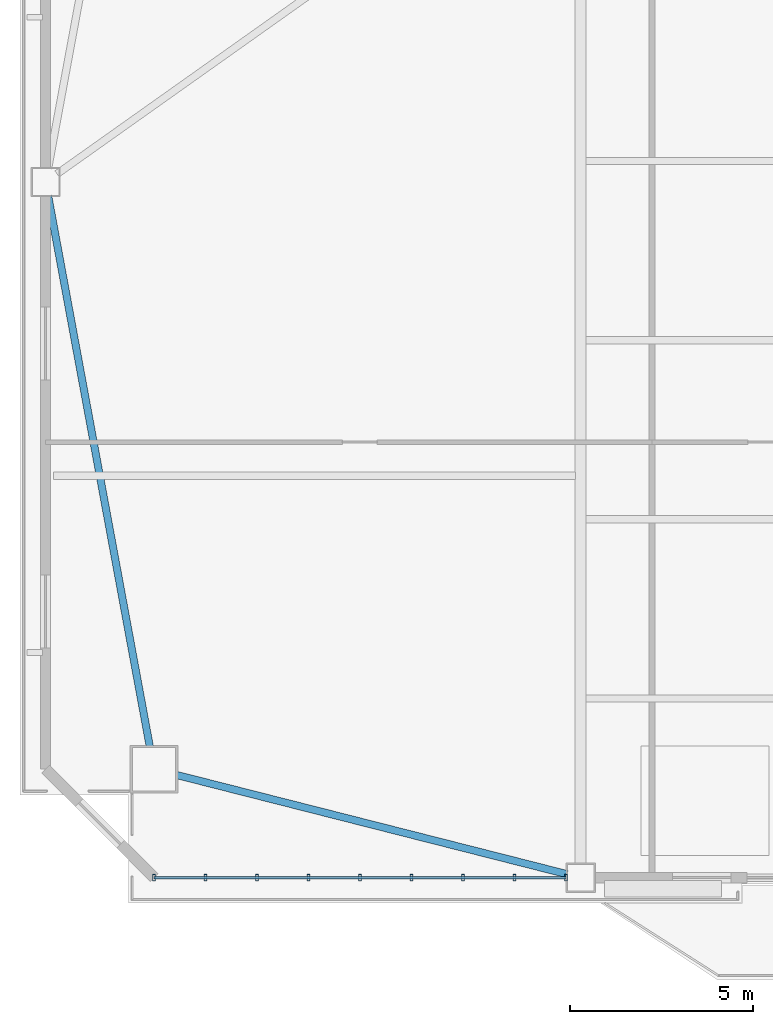
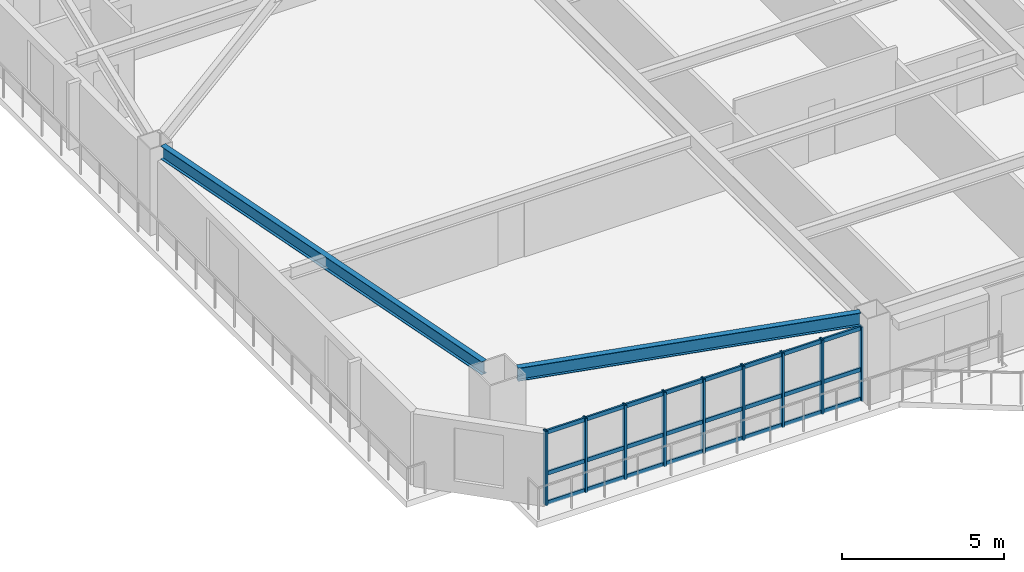
# One storey, part 2 of 17: 12 members, 2 beams, 1 element without a shape of its own.
"""IFC4 building model written with IfcOpenShell, lengths in metres."""

import ifcopenshell
import ifcopenshell.guid

model = None  # the IFC model being written
_history = None  # IfcOwnerHistory: only IFC2X3 demands one
_inside = {}  # id of a spatial element -> (the spatial element, [elements in it])
_under = {}  # id of a project, library or spatial element -> (it, [spatial elements below it])
_declared = {}  # id of a project -> (the project, [libraries it declares])
_typed = {}  # id of a type object -> (the type object, [elements of that type])
_made_of = {}  # id of a material, layer set ... -> (it, [elements and type objects made of it])


def new_model(schema):
    """Start an empty IFC model of exactly this schema.

    Asked for "IFC4X3", IfcOpenShell would pick the latest addendum, in which some entities
    have other attributes; the version numbers below select the first issue.
    IFC2X3 requires an IfcOwnerHistory on every rooted entity: one is made here for all.
    """
    global model, _history
    if schema == "IFC4X3":
        model = ifcopenshell.file(schema_version=(4, 3, 0, 0))
    else:
        model = ifcopenshell.file(schema=schema)
    _inside.clear()
    _under.clear()
    _declared.clear()
    _typed.clear()
    _made_of.clear()
    _history = None
    if model.schema == "IFC2X3":
        org = make("IfcOrganization", Name="unknown")
        user = make(
            "IfcPersonAndOrganization",
            ThePerson=make("IfcPerson", FamilyName="unknown"),
            TheOrganization=org,
        )
        app = make(
            "IfcApplication",
            ApplicationDeveloper=org,
            Version="unknown",
            ApplicationFullName="unknown",
            ApplicationIdentifier="unknown",
        )
        _history = make(
            "IfcOwnerHistory",
            OwningUser=user,
            OwningApplication=app,
            ChangeAction="ADDED",
            CreationDate=0,
        )
    return model


def make(cls, **values):
    """One entity of the class cls with the attributes given. An attribute that is None is left unset."""
    return model.create_entity(
        cls, **{name: value for name, value in values.items() if value is not None}
    )


def rooted(cls, **values):
    """An entity with a GlobalId (a new one), such as an element, a storey or a relation."""
    return make(cls, GlobalId=ifcopenshell.guid.new(), OwnerHistory=_history, **values)


def si_unit(unit_type, name, prefix=None):
    """IfcSIUnit, for example si_unit("LENGTHUNIT", "METRE", prefix="MILLI")."""
    return make("IfcSIUnit", UnitType=unit_type, Prefix=prefix, Name=name)


def assignment(units):
    """IfcUnitAssignment: the units of a project."""
    return None if units is None else make("IfcUnitAssignment", Units=units)


def point(xyz):
    """IfcCartesianPoint."""
    return None if xyz is None else make("IfcCartesianPoint", Coordinates=xyz)


def direction(xyz):
    """IfcDirection."""
    return None if xyz is None else make("IfcDirection", DirectionRatios=xyz)


def frame(location, z_axis=None, x_axis=None):
    """IfcAxis2Placement3D, a coordinate frame: its origin and axes. An axis left out is left unset."""
    return make(
        "IfcAxis2Placement3D",
        Location=point(location),
        Axis=direction(z_axis),
        RefDirection=direction(x_axis),
    )


def frame_2d(location, x_axis=None):
    """IfcAxis2Placement2D, a coordinate frame in the plane: its origin and x axis."""
    return make(
        "IfcAxis2Placement2D", Location=point(location), RefDirection=direction(x_axis)
    )


def origin():
    """The frame at (0, 0, 0) with its axes left unset."""
    return frame((0.0, 0.0, 0.0))


def origin_2d():
    """The frame at (0, 0) in the plane with its x axis left unset."""
    return frame_2d((0.0, 0.0))


def place(relative_to, where):
    """IfcLocalPlacement: puts the frame where relative to a parent placement (None: the world)."""
    return make(
        "IfcLocalPlacement", PlacementRelTo=relative_to, RelativePlacement=where
    )


def context(
    kind, dimensions, precision=None, world=None, true_north=None, identifier=None
):
    """IfcGeometricRepresentationContext, for example the 3D "Model" context."""
    return make(
        "IfcGeometricRepresentationContext",
        ContextIdentifier=identifier,
        ContextType=kind,
        CoordinateSpaceDimension=dimensions,
        Precision=precision,
        WorldCoordinateSystem=world,
        TrueNorth=true_north,
    )


def subcontext(parent, identifier, kind, view, scale=None):
    """IfcGeometricRepresentationSubContext, for example "Body" below "Model"."""
    return make(
        "IfcGeometricRepresentationSubContext",
        ContextIdentifier=identifier,
        ContextType=kind,
        ParentContext=parent,
        TargetScale=scale,
        TargetView=view,
    )


def project(units=None, contexts=None):
    """IfcProject with its units and contexts."""
    return rooted(
        "IfcProject",
        Name="project",
        RepresentationContexts=contexts,
        UnitsInContext=assignment(units),
    )


def spatial(cls, under=None, at=None, **own):
    """A site, building, storey or space (cls), placed at a placement, below another one or the project."""
    s = rooted(cls, ObjectPlacement=at, **own)
    if under is not None:
        _under.setdefault(under.id(), (under, []))[1].append(s)
    return s


def profile(cls, at=None, kind="AREA", **sizes):
    """A parametric profile (cls). Its sizes go by their IFC names, for example OverallWidth=200.0."""
    return make(cls, ProfileType=kind, Position=at, **sizes)


def hollow_rectangle(**sizes):
    """IfcRectangleHollowProfileDef."""
    return profile("IfcRectangleHollowProfileDef", **sizes)


def i_section(**sizes):
    """IfcIShapeProfileDef."""
    return profile("IfcIShapeProfileDef", **sizes)


def extrude(swept, where, along, depth):
    """IfcExtrudedAreaSolid: the profile swept, set in the frame where, extruded along a direction by depth."""
    return make(
        "IfcExtrudedAreaSolid",
        SweptArea=swept,
        Position=where,
        ExtrudedDirection=direction(along),
        Depth=depth,
    )


def shape(context_of_items, identifier, shape_type, items):
    """IfcShapeRepresentation: the items that make up one representation, for example the "Body"."""
    return make(
        "IfcShapeRepresentation",
        ContextOfItems=context_of_items,
        RepresentationIdentifier=identifier,
        RepresentationType=shape_type,
        Items=items,
    )


def source(mapping_origin, context_of_items, identifier, shape_type, items):
    """IfcRepresentationMap: a shape defined once, which mapped items show again and again."""
    return make(
        "IfcRepresentationMap",
        MappingOrigin=mapping_origin,
        MappedRepresentation=shape(context_of_items, identifier, shape_type, items),
    )


def transform(
    local_origin,
    x_axis=None,
    y_axis=None,
    z_axis=None,
    scale=None,
    scale2=None,
    scale3=None,
    uniform=True,
):
    """IfcCartesianTransformationOperator3D, or its non-uniform kind. x_axis, y_axis, z_axis: its Axis1, 2, 3."""
    if uniform:
        return make(
            "IfcCartesianTransformationOperator3D",
            Axis1=direction(x_axis),
            Axis2=direction(y_axis),
            LocalOrigin=point(local_origin),
            Scale=scale,
            Axis3=direction(z_axis),
        )
    return make(
        "IfcCartesianTransformationOperator3DnonUniform",
        Axis1=direction(x_axis),
        Axis2=direction(y_axis),
        LocalOrigin=point(local_origin),
        Scale=scale,
        Axis3=direction(z_axis),
        Scale2=scale2,
        Scale3=scale3,
    )


def mapped(mapping_source, mapping_target):
    """IfcMappedItem: shows the shape of a source again, moved by a transform."""
    return make(
        "IfcMappedItem", MappingSource=mapping_source, MappingTarget=mapping_target
    )


def material(Name=None, Category=None):
    """IfcMaterial."""
    return make("IfcMaterial", Name=Name, Category=Category)


def layer(
    of_material, thickness, ventilated=None, Name=None, Category=None, Priority=None
):
    """IfcMaterialLayer: one layer of a wall or slab, of a material (None: an air gap)."""
    return make(
        "IfcMaterialLayer",
        Material=of_material,
        LayerThickness=thickness,
        IsVentilated=ventilated,
        Name=Name,
        Category=Category,
        Priority=Priority,
    )


def layer_set(layers, Name=None):
    """IfcMaterialLayerSet."""
    return make("IfcMaterialLayerSet", MaterialLayers=layers, LayerSetName=Name)


def material_profile(
    of_material, cross_section, Name=None, Category=None, Priority=None
):
    """IfcMaterialProfile: a cross section and its material."""
    return make(
        "IfcMaterialProfile",
        Name=Name,
        Material=of_material,
        Profile=cross_section,
        Priority=Priority,
        Category=Category,
    )


def profile_set(profiles, Name=None, composite=None):
    """IfcMaterialProfileSet."""
    return make(
        "IfcMaterialProfileSet",
        Name=Name,
        MaterialProfiles=profiles,
        CompositeProfile=composite,
    )


def made_of(thing, what):
    """Note that an element or type object is made of a material, layer set ...; save() writes the relation."""
    if what is not None:
        _made_of.setdefault(what.id(), (what, []))[1].append(thing)
    return thing


def type_object(cls, material=None, **own):
    """A type object (cls), such as IfcWallType, which elements share."""
    return made_of(rooted(cls, **own), material)


def element(
    cls,
    number,
    at=None,
    inside=None,
    cuts=None,
    type_object=None,
    material=None,
    context=None,
    identifier="Body",
    shape_type=None,
    held_by="IfcProductDefinitionShape",
    body=None,
    shapes=None,
    **own,
):
    """One element of the class cls, such as IfcWall. Its Tag is "e" and its number.

    at: its placement. inside: the storey or other place that contains it. cuts: it is an
    opening in that element (IfcRelVoidsElement). A single representation is given by context,
    identifier, shape_type and body (its items); several are given by shapes. held_by: the class
    of the entity that holds the representations. save() writes the other relations.
    """
    e = rooted(cls, Tag="e%d" % number, ObjectPlacement=at, **own)
    if body is not None:
        shapes = [shape(context, identifier, shape_type, body)]
    if shapes is not None:
        e.Representation = make(held_by, Representations=shapes)
    if inside is not None:
        _inside.setdefault(inside.id(), (inside, []))[1].append(e)
    if cuts is not None:
        rooted(
            "IfcRelVoidsElement", RelatingBuildingElement=cuts, RelatedOpeningElement=e
        )
    if type_object is not None:
        _typed.setdefault(type_object.id(), (type_object, []))[1].append(e)
    return made_of(e, material)


def aggregate(whole, parts):
    """IfcRelAggregates: a whole, such as a stair, and the parts it consists of."""
    return rooted("IfcRelAggregates", RelatingObject=whole, RelatedObjects=parts)


def save(model, path):
    """Write the relations noted so far, then the file.

    IfcRelAggregates (storeys below a building ...), IfcRelContainedInSpatialStructure (elements
    in a storey), IfcRelDefinesByType, IfcRelAssociatesMaterial and IfcRelDeclares: one each for
    every whole, place, type object, material and project.
    """
    for whole, parts in _under.values():
        aggregate(whole, parts)
    for where, things in _inside.values():
        rooted(
            "IfcRelContainedInSpatialStructure",
            RelatedElements=things,
            RelatingStructure=where,
        )
    for kind, things in _typed.values():
        rooted("IfcRelDefinesByType", RelatedObjects=things, RelatingType=kind)
    for what, things in _made_of.values():
        rooted("IfcRelAssociatesMaterial", RelatedObjects=things, RelatingMaterial=what)
    for by, libraries in _declared.values():
        rooted("IfcRelDeclares", RelatingContext=by, RelatedDefinitions=libraries)
    model.write(path)


model = new_model("IFC4")

# Units and contexts
model_context = context("Model", 3, precision=1e-05, world=origin(), true_north=direction((0.0, 1.0)))
body_context = subcontext(model_context, "Body", "Model", "MODEL_VIEW")
ifc_project = project(units=[si_unit("LENGTHUNIT", "METRE"), si_unit("AREAUNIT", "SQUARE_METRE"), si_unit("VOLUMEUNIT", "CUBIC_METRE"), si_unit("PLANEANGLEUNIT", "RADIAN"), si_unit("MASSUNIT", "GRAM", prefix="KILO")], contexts=[model_context])

# Site, building, storey
site_placement = place(None, origin())
site = spatial("IfcSite", under=ifc_project, at=site_placement, CompositionType="ELEMENT")
building_placement = place(site_placement, origin())
building = spatial("IfcBuilding", under=site, at=building_placement, Name="Giltprow Tower", CompositionType="ELEMENT")
storey_placement = place(building_placement, frame((0.0, 0.0, 137.699951171875)))
storey = spatial("IfcBuildingStorey", under=building, at=storey_placement, Name="L33", CompositionType="ELEMENT", Elevation=137.699951171875)

# Beams
ifc_material_1 = material(Name="Structural steel Q355B", Category="steel")
ifc_material_profile_1 = material_profile(ifc_material_1, i_section(OverallWidth=0.199951171875, OverallDepth=0.5, WebThickness=0.010009765625, FlangeThickness=0.01611328125, at=origin_2d()), Name="HN 500x200x10x16")
ifc_profile_set_1 = profile_set([ifc_material_profile_1], Name="Structural steel Q355B")
beam_type = type_object("IfcBeamType", Name="BM-SPAN-HN500", PredefinedType="SPANDREL", material=ifc_profile_set_1)
shared_shape_1 = source(origin(), body_context, "Body", "SweptSolid", [
    extrude(i_section(OverallWidth=0.199951171875, OverallDepth=0.5, WebThickness=0.010009765625, FlangeThickness=0.01611328125, at=origin_2d()), origin(), (0.0, 0.0, 1.0), 11.0224609375),
])
beam_1_placement = place(storey_placement, frame((8.7939453125, 10.85400390625, 3.02001953125), z_axis=(0.969210383282, -0.2462341019, 0.0), x_axis=(0.2462341019, 0.969210383282, 0.0)))
element("IfcBeam", 1, at=beam_1_placement, inside=storey, type_object=beam_type, Name="L33 Perimeter Spandrel Beam MC_SW-S1", PredefinedType="SPANDREL", context=body_context, shape_type="MappedRepresentation", body=[
    mapped(shared_shape_1, transform((0.0, 0.0, 0.0), x_axis=(1.0, 0.0, 0.0), y_axis=(0.0, 1.0, 0.0), z_axis=(0.0, 0.0, 1.0), scale=1.0)),
])
shared_shape_2 = source(origin(), body_context, "Body", "SweptSolid", [
    extrude(i_section(OverallWidth=0.199951171875, OverallDepth=0.5, WebThickness=0.010009765625, FlangeThickness=0.01611328125, at=origin_2d()), origin(), (0.0, 0.0, 1.0), 15.3134765625),
])
beam_2_placement = place(storey_placement, frame((5.283935546875, 26.693115234375, 3.02001953125), z_axis=(0.181540600951, -0.98338345024, 0.0), x_axis=(0.98338345024, 0.181540600951, 0.0)))
element("IfcBeam", 2, at=beam_2_placement, inside=storey, type_object=beam_type, Name="L33 Perimeter Spandrel Beam W_MID-MC_SW", PredefinedType="SPANDREL", context=body_context, shape_type="MappedRepresentation", body=[
    mapped(shared_shape_2, transform((0.0, 0.0, 0.0), x_axis=(1.0, 0.0, 0.0), y_axis=(0.0, 1.0, 0.0), z_axis=(0.0, 0.0, 1.0), scale=1.0)),
])

# Curtain wall, members
ifc_material_2 = material(Name="Anodized bronze", Category="metal")
ifc_layer = layer(ifc_material_2, 0.179931640625, Name="Anodized bronze")
ifc_layer_set = layer_set([ifc_layer], Name="Anodized bronze")
curtain_wall_type = type_object("IfcCurtainWallType", Name="CW-HTL-BRONZE", PredefinedType="NOTDEFINED", material=ifc_layer_set)
curtain_wall_placement = place(storey_placement, origin())
curtain_wall = element("IfcCurtainWall", 3, at=curtain_wall_placement, inside=storey, type_object=curtain_wall_type, Name="L33 South Recessed Curtain Wall 1", PredefinedType="NOTDEFINED")
ifc_material_profile_2 = material_profile(ifc_material_2, hollow_rectangle(XDim=0.074951171875, YDim=0.179931640625, WallThickness=0.008056640625, at=origin_2d()), Name="RHS 180x75x8")
ifc_profile_set_2 = profile_set([ifc_material_profile_2], Name="Anodized bronze")
member_type_1 = type_object("IfcMemberType", Name="CW-MULLION-180x75", PredefinedType="MULLION", material=ifc_profile_set_2)
shared_shape_3 = source(origin(), body_context, "Body", "SweptSolid", [
    extrude(hollow_rectangle(XDim=0.074951171875, YDim=0.179931640625, WallThickness=0.008056640625, at=origin_2d()), origin(), (0.0, 0.0, 1.0), 2.80517578125),
])
member_1_placement = place(storey_placement, frame((8.178955078125, 8.044921875, -0.02001953125), z_axis=(0.0, 0.0, 1.0), x_axis=(1.0, 0.0, 0.0)))
member_1 = element("IfcMember", 4, at=member_1_placement, type_object=member_type_1, Name="L33 South Recessed Curtain Wall 1 Mullion 1", PredefinedType="MULLION", context=body_context, shape_type="MappedRepresentation", body=[
    mapped(shared_shape_3, transform((0.0, 0.0, 0.0), x_axis=(1.0, 0.0, 0.0), y_axis=(0.0, 1.0, 0.0), z_axis=(0.0, 0.0, 1.0), scale=1.0)),
])
member_2_placement = place(storey_placement, frame((9.587890625, 8.044921875, -0.02001953125), z_axis=(0.0, 0.0, 1.0), x_axis=(1.0, 0.0, 0.0)))
member_2 = element("IfcMember", 5, at=member_2_placement, type_object=member_type_1, Name="L33 South Recessed Curtain Wall 1 Mullion 2", PredefinedType="MULLION", context=body_context, shape_type="MappedRepresentation", body=[
    mapped(shared_shape_3, transform((0.0, 0.0, 0.0), x_axis=(1.0, 0.0, 0.0), y_axis=(0.0, 1.0, 0.0), z_axis=(0.0, 0.0, 1.0), scale=1.0)),
])
member_3_placement = place(storey_placement, frame((10.9970703125, 8.044921875, -0.02001953125), z_axis=(0.0, 0.0, 1.0), x_axis=(1.0, 0.0, 0.0)))
member_3 = element("IfcMember", 6, at=member_3_placement, type_object=member_type_1, Name="L33 South Recessed Curtain Wall 1 Mullion 3", PredefinedType="MULLION", context=body_context, shape_type="MappedRepresentation", body=[
    mapped(shared_shape_3, transform((0.0, 0.0, 0.0), x_axis=(1.0, 0.0, 0.0), y_axis=(0.0, 1.0, 0.0), z_axis=(0.0, 0.0, 1.0), scale=1.0)),
])
member_4_placement = place(storey_placement, frame((12.406005859375, 8.044921875, -0.02001953125), z_axis=(0.0, 0.0, 1.0), x_axis=(1.0, 0.0, 0.0)))
member_4 = element("IfcMember", 7, at=member_4_placement, type_object=member_type_1, Name="L33 South Recessed Curtain Wall 1 Mullion 4", PredefinedType="MULLION", context=body_context, shape_type="MappedRepresentation", body=[
    mapped(shared_shape_3, transform((0.0, 0.0, 0.0), x_axis=(1.0, 0.0, 0.0), y_axis=(0.0, 1.0, 0.0), z_axis=(0.0, 0.0, 1.0), scale=1.0)),
])
member_5_placement = place(storey_placement, frame((13.81396484375, 8.044921875, -0.02001953125), z_axis=(0.0, 0.0, 1.0), x_axis=(1.0, 0.0, 0.0)))
member_5 = element("IfcMember", 8, at=member_5_placement, type_object=member_type_1, Name="L33 South Recessed Curtain Wall 1 Mullion 5", PredefinedType="MULLION", context=body_context, shape_type="MappedRepresentation", body=[
    mapped(shared_shape_3, transform((0.0, 0.0, 0.0), x_axis=(1.0, 0.0, 0.0), y_axis=(0.0, 1.0, 0.0), z_axis=(0.0, 0.0, 1.0), scale=1.0)),
])
member_6_placement = place(storey_placement, frame((15.222900390625, 8.044921875, -0.02001953125), z_axis=(0.0, 0.0, 1.0), x_axis=(1.0, 0.0, 0.0)))
member_6 = element("IfcMember", 9, at=member_6_placement, type_object=member_type_1, Name="L33 South Recessed Curtain Wall 1 Mullion 6", PredefinedType="MULLION", context=body_context, shape_type="MappedRepresentation", body=[
    mapped(shared_shape_3, transform((0.0, 0.0, 0.0), x_axis=(1.0, 0.0, 0.0), y_axis=(0.0, 1.0, 0.0), z_axis=(0.0, 0.0, 1.0), scale=1.0)),
])
member_7_placement = place(storey_placement, frame((16.632080078125, 8.044921875, -0.02001953125), z_axis=(0.0, 0.0, 1.0), x_axis=(1.0, 0.0, 0.0)))
member_7 = element("IfcMember", 10, at=member_7_placement, type_object=member_type_1, Name="L33 South Recessed Curtain Wall 1 Mullion 7", PredefinedType="MULLION", context=body_context, shape_type="MappedRepresentation", body=[
    mapped(shared_shape_3, transform((0.0, 0.0, 0.0), x_axis=(1.0, 0.0, 0.0), y_axis=(0.0, 1.0, 0.0), z_axis=(0.0, 0.0, 1.0), scale=1.0)),
])
member_8_placement = place(storey_placement, frame((18.041015625, 8.044921875, -0.02001953125), z_axis=(0.0, 0.0, 1.0), x_axis=(1.0, 0.0, 0.0)))
member_8 = element("IfcMember", 11, at=member_8_placement, type_object=member_type_1, Name="L33 South Recessed Curtain Wall 1 Mullion 8", PredefinedType="MULLION", context=body_context, shape_type="MappedRepresentation", body=[
    mapped(shared_shape_3, transform((0.0, 0.0, 0.0), x_axis=(1.0, 0.0, 0.0), y_axis=(0.0, 1.0, 0.0), z_axis=(0.0, 0.0, 1.0), scale=1.0)),
])
member_9_placement = place(storey_placement, frame((19.449951171875, 8.044921875, -0.02001953125), z_axis=(0.0, 0.0, 1.0), x_axis=(1.0, 0.0, 0.0)))
member_9 = element("IfcMember", 12, at=member_9_placement, type_object=member_type_1, Name="L33 South Recessed Curtain Wall 1 Mullion 9", PredefinedType="MULLION", context=body_context, shape_type="MappedRepresentation", body=[
    mapped(shared_shape_3, transform((0.0, 0.0, 0.0), x_axis=(1.0, 0.0, 0.0), y_axis=(0.0, 1.0, 0.0), z_axis=(0.0, 0.0, 1.0), scale=1.0)),
])
ifc_material_profile_3 = material_profile(ifc_material_2, hollow_rectangle(XDim=0.06494140625, YDim=0.14990234375, WallThickness=0.006103515625, at=origin_2d()), Name="RHS 150x65x6")
ifc_profile_set_3 = profile_set([ifc_material_profile_3], Name="Anodized bronze")
member_type_2 = type_object("IfcMemberType", Name="CW-TRANSOM-150x65", PredefinedType="USERDEFINED", material=ifc_profile_set_3)
shared_shape_4 = source(origin(), body_context, "Body", "SweptSolid", [
    extrude(hollow_rectangle(XDim=0.06494140625, YDim=0.14990234375, WallThickness=0.006103515625, at=origin_2d()), origin(), (0.0, 0.0, 1.0), 11.27099609375),
])
member_10_placement = place(storey_placement, frame((8.178955078125, 8.044921875, 0.0400390625), z_axis=(1.0, 0.0, 0.0), x_axis=(0.0, 1.0, 0.0)))
member_10 = element("IfcMember", 13, at=member_10_placement, type_object=member_type_2, Name="L33 South Recessed Curtain Wall 1 Transom 1", ObjectType="TRANSOM", PredefinedType="USERDEFINED", context=body_context, shape_type="MappedRepresentation", body=[
    mapped(shared_shape_4, transform((0.0, 0.0, 0.0), x_axis=(1.0, 0.0, 0.0), y_axis=(0.0, 1.0, 0.0), z_axis=(0.0, 0.0, 1.0), scale=1.0)),
])
member_11_placement = place(storey_placement, frame((8.178955078125, 8.044921875, 1.155029296875), z_axis=(1.0, 0.0, 0.0), x_axis=(0.0, 1.0, 0.0)))
member_11 = element("IfcMember", 14, at=member_11_placement, type_object=member_type_2, Name="L33 South Recessed Curtain Wall 1 Transom 2", ObjectType="TRANSOM", PredefinedType="USERDEFINED", context=body_context, shape_type="MappedRepresentation", body=[
    mapped(shared_shape_4, transform((0.0, 0.0, 0.0), x_axis=(1.0, 0.0, 0.0), y_axis=(0.0, 1.0, 0.0), z_axis=(0.0, 0.0, 1.0), scale=1.0)),
])
member_12_placement = place(storey_placement, frame((8.178955078125, 8.044921875, 2.7099609375), z_axis=(1.0, 0.0, 0.0), x_axis=(0.0, 1.0, 0.0)))
member_12 = element("IfcMember", 15, at=member_12_placement, type_object=member_type_2, Name="L33 South Recessed Curtain Wall 1 Transom 3", ObjectType="TRANSOM", PredefinedType="USERDEFINED", context=body_context, shape_type="MappedRepresentation", body=[
    mapped(shared_shape_4, transform((0.0, 0.0, 0.0), x_axis=(1.0, 0.0, 0.0), y_axis=(0.0, 1.0, 0.0), z_axis=(0.0, 0.0, 1.0), scale=1.0)),
])
aggregate(curtain_wall, [member_1, member_2, member_3, member_4, member_5, member_6, member_7, member_8, member_9, member_10, member_11, member_12])

save(model, "model.ifc")
